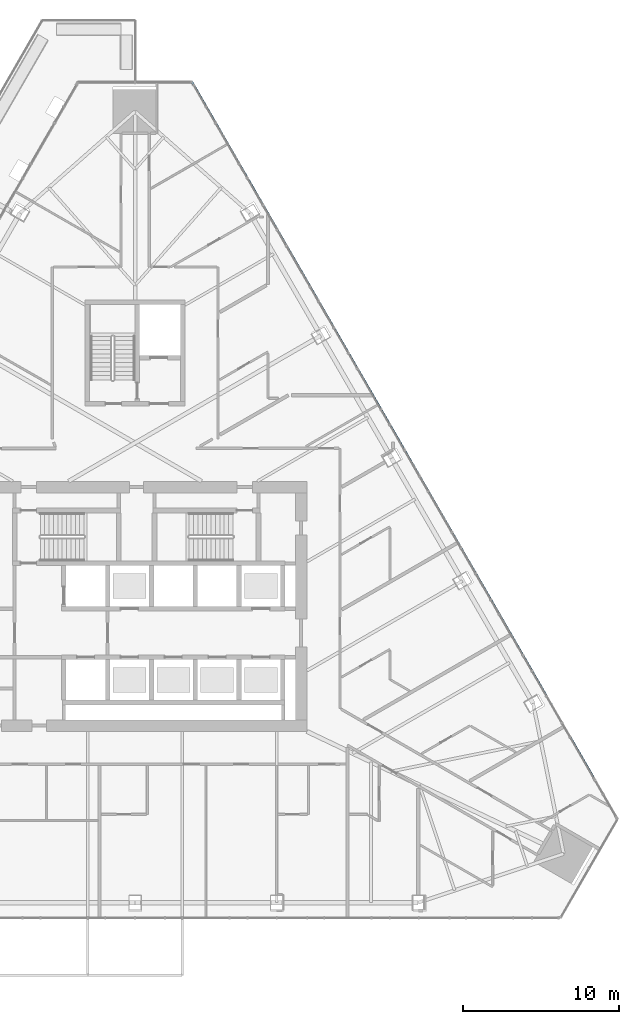
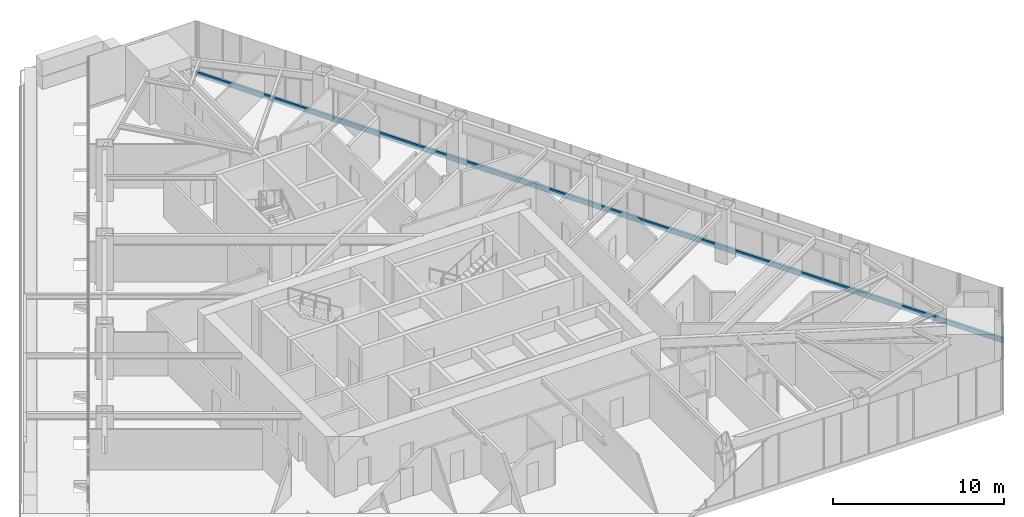
# One storey, part 12 of 35: 1 member, 1 element without a shape of its own.
"""IFC4 building model written with IfcOpenShell, lengths in metres."""

from ifc_helpers import new_model, si_unit, direction, frame, origin, origin_2d, place, context, subcontext, project, spatial, rectangle, extrude, material, layer, layer_set, material_profile, profile_set, type_object, element, aggregate, save


model = new_model("IFC4")

# Units and contexts
model_context = context("Model", 3, precision=1e-05, world=origin(), true_north=direction((0.0, 1.0)))
body_context = subcontext(model_context, "Body", "Model", "MODEL_VIEW")
ifc_project = project(units=[si_unit("LENGTHUNIT", "METRE"), si_unit("AREAUNIT", "SQUARE_METRE"), si_unit("VOLUMEUNIT", "CUBIC_METRE"), si_unit("PLANEANGLEUNIT", "RADIAN"), si_unit("MASSUNIT", "GRAM", prefix="KILO")], contexts=[model_context])

# Site, building, storey
site_placement = place(None, origin())
site = spatial("IfcSite", under=ifc_project, at=site_placement, CompositionType="ELEMENT")
building_placement = place(site_placement, origin())
building = spatial("IfcBuilding", under=site, at=building_placement, Name="Firuza Gate Tower and Library", CompositionType="ELEMENT")
storey_placement = place(building_placement, frame((0.0, 0.0, 159.699951171875)))
storey = spatial("IfcBuildingStorey", under=building, at=storey_placement, Name="L36", CompositionType="ELEMENT", Elevation=159.699951171875)

# Curtain wall, member
ifc_material_1 = material(Name="Aluminium 6063-T6", Category="aluminium")
ifc_layer = layer(ifc_material_1, 0.14990234375)
ifc_layer_set = layer_set([ifc_layer], Name="Unitised curtain wall, hotel")
curtain_wall_type = type_object("IfcCurtainWallType", Name="Unitised curtain wall, hotel", PredefinedType="NOTDEFINED", material=ifc_layer_set)
curtain_wall_placement = place(storey_placement, origin())
curtain_wall = element("IfcCurtainWall", 1, at=curtain_wall_placement, inside=storey, type_object=curtain_wall_type, Name="CW2 L36 E face", PredefinedType="NOTDEFINED")
ifc_material_2 = material(Name="Aluminium 6063-T6", Category="aluminium")
ifc_material_profile = material_profile(ifc_material_2, rectangle(XDim=0.14990234375, YDim=0.35009765625, at=origin_2d()))
ifc_profile_set = profile_set([ifc_material_profile], Name="Aluminium 6063-T6")
member_type = type_object("IfcMemberType", Name="Curtain wall transom 350x150", PredefinedType="USERDEFINED", material=ifc_profile_set)
member_placement = place(storey_placement, frame((105.8486328125, 61.396484375, -0.02490234375), z_axis=(-0.500001200032, 0.866024710944, 0.0), x_axis=(-0.866024710944, -0.500001200032, 0.0)))
member = element("IfcMember", 2, at=member_placement, type_object=member_type, Name="Transom", ObjectType="TRANSOM", PredefinedType="USERDEFINED", context=body_context, shape_type="SweptSolid", body=[
    extrude(rectangle(XDim=0.14990234375, YDim=0.35009765625, at=origin_2d()), origin(), (0.0, 0.0, 1.0), 54.410400390625),
])
aggregate(curtain_wall, [member])

save(model, "model.ifc")
